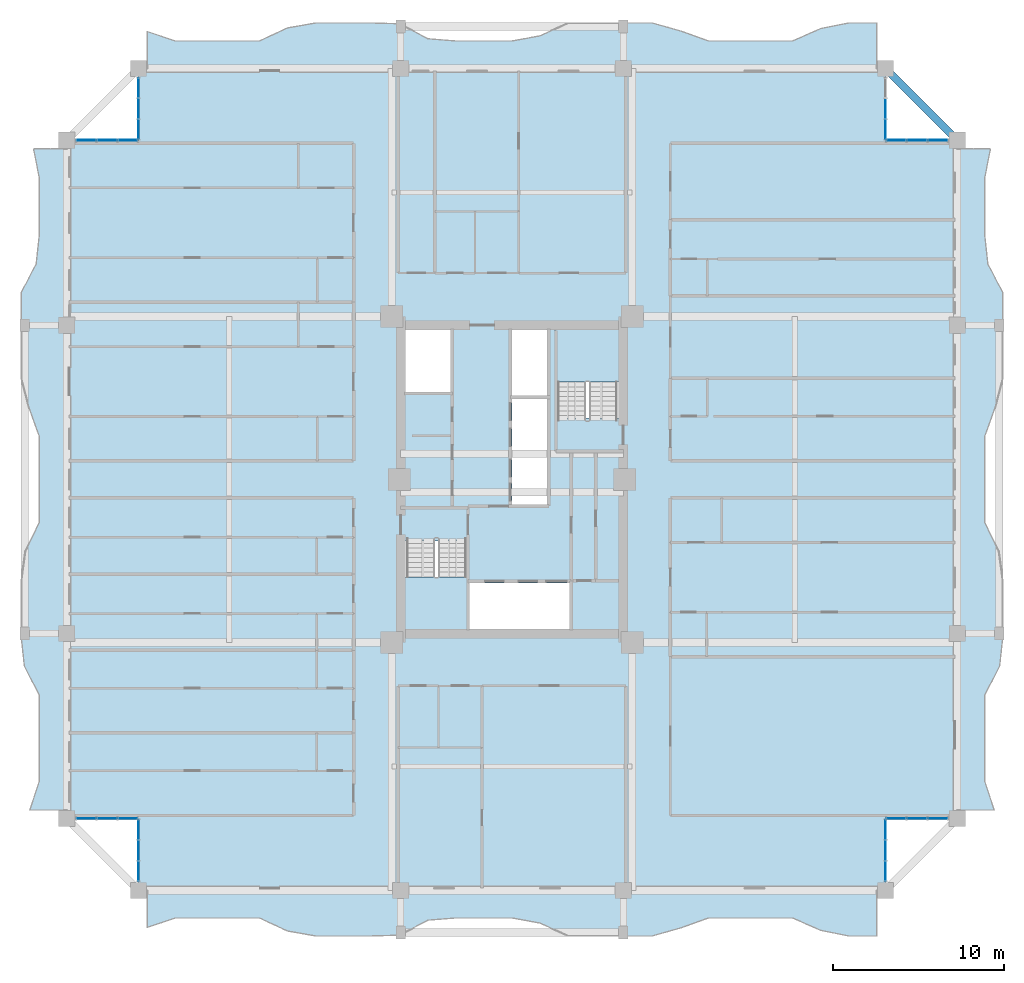
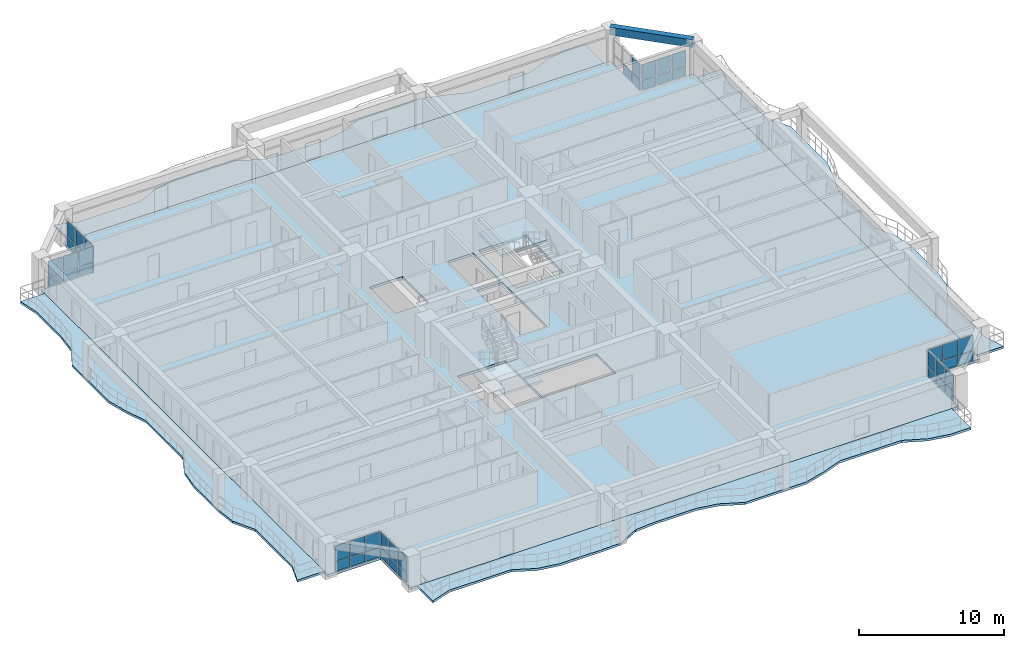
# One storey, part 12 of 24: 45 plates, 7 slabs, 1 beam, 10 elements without a shape of their own.
"""IFC4 building model written with IfcOpenShell, lengths in metres."""

from ifc_helpers import new_model, si_unit, direction, frame, origin, origin_2d, place, context, subcontext, project, spatial, polyline, rectangle, outline, extrude, source, transform, mapped, material, layer, layer_set, material_profile, profile_set, type_object, element, aggregate, save


model = new_model("IFC4")

# Units and contexts
model_context = context("Model", 3, precision=1e-05, world=origin(), true_north=direction((0.0, 1.0)))
body_context = subcontext(model_context, "Body", "Model", "MODEL_VIEW")
ifc_project = project(units=[si_unit("LENGTHUNIT", "METRE"), si_unit("AREAUNIT", "SQUARE_METRE"), si_unit("VOLUMEUNIT", "CUBIC_METRE"), si_unit("PLANEANGLEUNIT", "RADIAN"), si_unit("MASSUNIT", "GRAM", prefix="KILO")], contexts=[model_context])

# Site, building, storey
site_placement = place(None, origin())
site = spatial("IfcSite", under=ifc_project, at=site_placement, CompositionType="ELEMENT")
building_placement = place(site_placement, origin())
building = spatial("IfcBuilding", under=site, at=building_placement, Name="Saelheon Loggia Tower", CompositionType="ELEMENT")
storey_placement = place(building_placement, frame((0.0, 0.0, 126.75)))
storey = spatial("IfcBuildingStorey", under=building, at=storey_placement, Name="L40", CompositionType="ELEMENT", Elevation=126.75)

# Beam
ifc_material_1 = material(Name="Concrete C40/50", Category="concrete")
ifc_material_profile = material_profile(ifc_material_1, rectangle(XDim=0.449951171875, YDim=0.64990234375, at=origin_2d()), Name="RC-450x650")
ifc_profile_set = profile_set([ifc_material_profile], Name="Concrete C40/50")
beam_type = type_object("IfcBeamType", Name="Beam_PerimTower_RC450x650", PredefinedType="BEAM", material=ifc_profile_set)
shared_shape_1 = source(origin(), body_context, "Body", "SweptSolid", [
    extrude(rectangle(XDim=0.449951171875, YDim=0.64990234375, at=origin_2d()), origin(), (0.0, 0.0, 1.0), 5.939697265625),
])
beam_placement = place(storey_placement, frame((64.0, 46.800048828125, 2.675048828125), z_axis=(-0.707106781187, 0.707106781187, 0.0), x_axis=(-0.707106781187, -0.707106781187, 0.0)))
element("IfcBeam", 1, at=beam_placement, inside=storey, type_object=beam_type, Name="L40 Perimeter Frame Girder 08", PredefinedType="BEAM", context=body_context, shape_type="MappedRepresentation", body=[
    mapped(shared_shape_1, transform((0.0, 0.0, 0.0), scale=1.0)),
])

# Slabs
ifc_material_2 = material(Name="Precast Concrete C45/55", Category="concrete")
ifc_layer_1 = layer(ifc_material_2, 0.18994140625)
ifc_layer_set_1 = layer_set([ifc_layer_1], Name="Precast Concrete C45/55")
slab_type_1 = type_object("IfcSlabType", Name="Slab_Loggia_Ext_190", PredefinedType="FLOOR", material=ifc_layer_set_1)
slab_1_placement = place(storey_placement, frame((0.0, 0.0, -0.18994140625)))
element("IfcSlab", 2, at=slab_1_placement, inside=storey, type_object=slab_type_1, Name="L40 Loggia Balcony Slab S", PredefinedType="FLOOR", context=body_context, shape_type="SweptSolid", body=[
    extrude(outline(polyline([(16.699951171875, 0.85009765625), (18.33837890625, 1.39990234375), (19.976806640625, 1.39990234375), (21.615478515625, 1.39990234375), (23.25390625, 1.39990234375), (24.892333984375, 0.6376953125), (26.53076171875, 0.35009765625), (28.169189453125, 0.35009765625), (29.8076171875, 0.35009765625), (31.4462890625, 0.394775390625), (33.084716796875, 1.26953125), (34.72314453125, 1.39990234375), (36.361572265625, 1.39990234375), (38.0, 1.39990234375), (39.638427734375, 1.099609375), (41.27685546875, 0.35009765625), (42.915283203125, 0.35009765625), (44.5537109375, 0.35009765625), (46.1923828125, 0.35009765625), (47.830810546875, 0.8125), (49.46923828125, 1.39990234375), (51.107666015625, 1.39990234375), (52.74609375, 1.39990234375), (54.384521484375, 1.39990234375), (56.023193359375, 0.6748046875), (57.66162109375, 0.35009765625), (59.300048828125, 0.35009765625), (59.300048828125, 3.0), (16.699951171875, 3.0), (16.699951171875, 0.85009765625)])), origin(), (0.0, 0.0, 1.0), 0.18994140625),
])
slab_2_placement = place(storey_placement, frame((0.0, 0.0, -0.18994140625)))
element("IfcSlab", 3, at=slab_2_placement, inside=storey, type_object=slab_type_1, Name="L40 Loggia Balcony Slab N", PredefinedType="FLOOR", context=body_context, shape_type="SweptSolid", body=[
    extrude(outline(polyline([(16.699951171875, 51.0), (59.300048828125, 51.0), (59.300048828125, 53.64990234375), (57.66162109375, 53.64990234375), (56.023193359375, 53.3251953125), (54.384521484375, 52.60009765625), (52.74609375, 52.60009765625), (51.107666015625, 52.60009765625), (49.46923828125, 52.60009765625), (47.830810546875, 53.1875), (46.1923828125, 53.64990234375), (44.5537109375, 53.64990234375), (42.915283203125, 53.64990234375), (41.27685546875, 53.64990234375), (39.638427734375, 52.900390625), (38.0, 52.60009765625), (36.361572265625, 52.60009765625), (34.72314453125, 52.60009765625), (33.084716796875, 52.73046875), (31.4462890625, 53.605224609375), (29.8076171875, 53.64990234375), (28.169189453125, 53.64990234375), (26.53076171875, 53.64990234375), (24.892333984375, 53.3623046875), (23.25390625, 52.60009765625), (21.615478515625, 52.60009765625), (19.976806640625, 52.60009765625), (18.33837890625, 52.60009765625), (16.699951171875, 53.14990234375), (16.699951171875, 51.0)])), origin(), (0.0, 0.0, 1.0), 0.18994140625),
])
slab_3_placement = place(storey_placement, frame((0.0, 0.0, -0.18994140625)))
element("IfcSlab", 4, at=slab_3_placement, inside=storey, type_object=slab_type_1, Name="L40 Loggia Balcony Slab E", PredefinedType="FLOOR", context=body_context, shape_type="SweptSolid", body=[
    extrude(outline(polyline([(64.0, 7.699951171875), (66.14990234375, 7.699951171875), (65.60009765625, 9.37841796875), (65.60009765625, 11.056396484375), (65.60009765625, 12.73486328125), (65.60009765625, 14.4130859375), (66.468505859375, 16.09130859375), (66.64990234375, 17.76953125), (66.64990234375, 19.44775390625), (66.64990234375, 21.126220703125), (66.417724609375, 22.80419921875), (65.60009765625, 24.482666015625), (65.60009765625, 26.160888671875), (65.60009765625, 27.839111328125), (65.60009765625, 29.517333984375), (66.201904296875, 31.19580078125), (66.64990234375, 32.873779296875), (66.64990234375, 34.55224609375), (66.64990234375, 36.23046875), (66.64990234375, 37.90869140625), (65.78125, 39.5869140625), (65.60009765625, 41.26513671875), (65.60009765625, 42.943603515625), (65.60009765625, 44.62158203125), (65.933349609375, 46.300048828125), (64.0, 46.300048828125), (64.0, 7.699951171875)])), origin(), (0.0, 0.0, 1.0), 0.18994140625),
])
slab_4_placement = place(storey_placement, frame((0.0, 0.0, -0.18994140625)))
element("IfcSlab", 5, at=slab_4_placement, inside=storey, type_object=slab_type_1, Name="L40 Loggia Balcony Slab W", PredefinedType="FLOOR", context=body_context, shape_type="SweptSolid", body=[
    extrude(outline(polyline([(12.0, 7.699951171875), (12.0, 46.300048828125), (10.066650390625, 46.300048828125), (10.39990234375, 44.62158203125), (10.39990234375, 42.943603515625), (10.39990234375, 41.26513671875), (10.21875, 39.5869140625), (9.35009765625, 37.90869140625), (9.35009765625, 36.23046875), (9.35009765625, 34.55224609375), (9.35009765625, 32.873779296875), (9.798095703125, 31.19580078125), (10.39990234375, 29.517333984375), (10.39990234375, 27.839111328125), (10.39990234375, 26.160888671875), (10.39990234375, 24.482666015625), (9.582275390625, 22.80419921875), (9.35009765625, 21.126220703125), (9.35009765625, 19.44775390625), (9.35009765625, 17.76953125), (9.531494140625, 16.09130859375), (10.39990234375, 14.4130859375), (10.39990234375, 12.73486328125), (10.39990234375, 11.056396484375), (10.39990234375, 9.37841796875), (9.85009765625, 7.699951171875), (12.0, 7.699951171875)])), origin(), (0.0, 0.0, 1.0), 0.18994140625),
])

# Stair, slab
stair_type = type_object("IfcStairType", Name="Stair_Escape_Core", PredefinedType="HALF_TURN_STAIR", material=ifc_material_1)
stair_1_placement = place(storey_placement, origin())
stair_1 = element("IfcStair", 6, at=stair_1_placement, inside=storey, type_object=stair_type, Name="L40 Special Escape Stair ST1", PredefinedType="HALF_TURN_STAIR")
ifc_layer_2 = layer(ifc_material_1, 0.199951171875)
ifc_layer_set_2 = layer_set([ifc_layer_2], Name="Concrete C40/50")
slab_type_2 = type_object("IfcSlabType", Name="Slab_StairLanding_ST1", PredefinedType="LANDING", material=ifc_layer_set_2)
slab_5_placement = place(storey_placement, frame((0.0, 0.0, 1.300048828125)))
slab_5 = element("IfcSlab", 7, at=slab_5_placement, type_object=slab_type_2, Name="ST1 landing 1", PredefinedType="LANDING", context=body_context, shape_type="SweptSolid", body=[
    extrude(outline(polyline([(31.7099609375, 21.31005859375), (31.7099609375, 18.2099609375), (35.469970703125, 18.2099609375), (35.469970703125, 21.31005859375), (31.7099609375, 21.31005859375)])), origin(), (0.0, 0.0, 1.0), 0.199951171875),
])
aggregate(stair_1, [slab_5])

stair_2_placement = place(storey_placement, origin())
stair_2 = element("IfcStair", 8, at=stair_2_placement, inside=storey, type_object=stair_type, Name="L40 Special Escape Stair ST2", PredefinedType="HALF_TURN_STAIR")
ifc_layer_3 = layer(ifc_material_1, 0.199951171875)
ifc_layer_set_3 = layer_set([ifc_layer_3], Name="Concrete C40/50")
slab_type_3 = type_object("IfcSlabType", Name="Slab_StairLanding_ST2", PredefinedType="LANDING", material=ifc_layer_set_3)
slab_6_placement = place(storey_placement, frame((0.0, 0.0, 1.300048828125)))
slab_6 = element("IfcSlab", 9, at=slab_6_placement, type_object=slab_type_3, Name="ST2 landing 1", PredefinedType="LANDING", context=body_context, shape_type="SweptSolid", body=[
    extrude(outline(polyline([(44.2900390625, 32.68994140625), (44.2900390625, 35.7900390625), (40.530029296875, 35.7900390625), (40.530029296875, 32.68994140625), (44.2900390625, 32.68994140625)])), origin(), (0.0, 0.0, 1.0), 0.199951171875),
])
aggregate(stair_2, [slab_6])

# Slab
ifc_layer_4 = layer(ifc_material_1, 0.2099609375)
ifc_layer_set_4 = layer_set([ifc_layer_4], Name="Concrete C40/50")
slab_type_4 = type_object("IfcSlabType", Name="Slab_Tower_210", PredefinedType="FLOOR", material=ifc_layer_set_4)
slab_7_placement = place(storey_placement, frame((0.0, 0.0, -0.2099609375)))
element("IfcSlab", 10, at=slab_7_placement, inside=storey, type_object=slab_type_4, Name="L40 Tower Floor Slab", PredefinedType="FLOOR", context=body_context, shape_type="SweptSolid", body=[
    extrude(outline(polyline([(16.199951171875, 3.0), (59.800048828125, 3.0), (59.800048828125, 7.199951171875), (64.0, 7.199951171875), (64.0, 46.800048828125), (59.800048828125, 46.800048828125), (59.800048828125, 51.0), (16.199951171875, 51.0), (16.199951171875, 46.800048828125), (12.0, 46.800048828125), (12.0, 7.199951171875), (16.199951171875, 7.199951171875), (16.199951171875, 3.0)]), holes=[polyline([(31.699951171875, 23.409912109375), (31.699951171875, 18.199951171875), (35.47998046875, 18.199951171875), (35.47998046875, 23.409912109375), (31.699951171875, 23.409912109375)]), polyline([(44.300048828125, 30.590087890625), (44.300048828125, 35.800048828125), (40.52001953125, 35.800048828125), (40.52001953125, 30.590087890625), (44.300048828125, 30.590087890625)]), polyline([(35.530029296875, 18.27490234375), (41.35009765625, 18.27490234375), (41.35009765625, 20.9599609375), (35.530029296875, 20.9599609375), (35.530029296875, 18.27490234375)]), polyline([(31.77490234375, 32.1201171875), (34.419921875, 32.1201171875), (34.419921875, 35.72509765625), (31.77490234375, 35.72509765625), (31.77490234375, 32.1201171875)]), polyline([(38.0, 31.89990234375), (40.050048828125, 31.89990234375), (40.050048828125, 35.72509765625), (38.0, 35.72509765625), (38.0, 31.89990234375)]), polyline([(38.0, 25.5400390625), (40.050048828125, 25.5400390625), (40.050048828125, 31.699951171875), (38.0, 31.699951171875), (38.0, 25.5400390625)])]), origin(), (0.0, 0.0, 1.0), 0.2099609375),
])

# Curtain wall, plates
ifc_material_3 = material(Name="High-Wind Aluminium and Triple Laminated Glass", Category="aluminium")
ifc_layer_5 = layer(ifc_material_3, 0.179931640625)
ifc_layer_set_5 = layer_set([ifc_layer_5], Name="High-Wind Aluminium and Triple Laminated Glass")
curtain_wall_type = type_object("IfcCurtainWallType", Name="CW_TowerLoggiaHigh", PredefinedType="NOTDEFINED", material=ifc_layer_set_5)
curtain_wall_1_placement = place(storey_placement, origin())
curtain_wall_1 = element("IfcCurtainWall", 11, at=curtain_wall_1_placement, inside=storey, type_object=curtain_wall_type, Name="L40 Corner Notch Glazing SW1", PredefinedType="NOTDEFINED")
ifc_material_4 = material(Name="Triple Low-E Laminated Glazing", Category="glass")
ifc_layer_6 = layer(ifc_material_4, 0.0439453125)
ifc_layer_set_6 = layer_set([ifc_layer_6], Name="Triple Low-E Laminated Glazing")
plate_type = type_object("IfcPlateType", Name="CW_TowerLoggiaHigh_Panel", PredefinedType="CURTAIN_PANEL", material=ifc_layer_set_6)
shared_shape_2 = source(origin(), body_context, "Body", "SweptSolid", [
    extrude(rectangle(XDim=1.123291015625, YDim=0.0439453125, at=origin_2d()), origin(), (0.0, 0.0, 1.0), 0.794921875),
])
plate_1_placement = place(storey_placement, frame((16.199951171875, 4.146728515625, 0.070068359375), z_axis=(0.0, 0.0, 1.0), x_axis=(0.0, 1.0, 0.0)))
plate_1 = element("IfcPlate", 12, at=plate_1_placement, type_object=plate_type, Name="CW4 panel 1.1", PredefinedType="CURTAIN_PANEL", context=body_context, shape_type="MappedRepresentation", body=[
    mapped(shared_shape_2, transform((0.0, 0.0, 0.0), scale=1.0)),
])
plate_2_placement = place(storey_placement, frame((16.199951171875, 6.568359375, 0.070068359375), z_axis=(0.0, 0.0, 1.0), x_axis=(0.0, 1.0, 0.0)))
plate_2 = element("IfcPlate", 13, at=plate_2_placement, type_object=plate_type, Name="CW4 panel 3.1", PredefinedType="CURTAIN_PANEL", context=body_context, shape_type="MappedRepresentation", body=[
    mapped(shared_shape_2, transform((0.0, 0.0, 0.0), scale=1.0)),
])

curtain_wall_2_placement = place(storey_placement, origin())
curtain_wall_2 = element("IfcCurtainWall", 14, at=curtain_wall_2_placement, inside=storey, type_object=curtain_wall_type, Name="L40 Corner Notch Glazing SW2", PredefinedType="NOTDEFINED")
plate_3_placement = place(storey_placement, frame((13.146728515625, 7.199951171875, 0.070068359375), z_axis=(0.0, 0.0, 1.0), x_axis=(1.0, 0.0, 0.0)))
plate_3 = element("IfcPlate", 15, at=plate_3_placement, type_object=plate_type, Name="CW4 panel 1.1", PredefinedType="CURTAIN_PANEL", context=body_context, shape_type="MappedRepresentation", body=[
    mapped(shared_shape_2, transform((0.0, 0.0, 0.0), scale=1.0)),
])
plate_4_placement = place(storey_placement, frame((15.568359375, 7.199951171875, 0.070068359375), z_axis=(0.0, 0.0, 1.0), x_axis=(1.0, 0.0, 0.0)))
plate_4 = element("IfcPlate", 16, at=plate_4_placement, type_object=plate_type, Name="CW4 panel 3.1", PredefinedType="CURTAIN_PANEL", context=body_context, shape_type="MappedRepresentation", body=[
    mapped(shared_shape_2, transform((0.0, 0.0, 0.0), scale=1.0)),
])

curtain_wall_3_placement = place(storey_placement, origin())
curtain_wall_3 = element("IfcCurtainWall", 17, at=curtain_wall_3_placement, inside=storey, type_object=curtain_wall_type, Name="L40 Corner Notch Glazing SE1", PredefinedType="NOTDEFINED")
plate_5_placement = place(storey_placement, frame((59.800048828125, 4.146728515625, 0.070068359375), z_axis=(0.0, 0.0, 1.0), x_axis=(0.0, 1.0, 0.0)))
plate_5 = element("IfcPlate", 18, at=plate_5_placement, type_object=plate_type, Name="CW4 panel 1.1", PredefinedType="CURTAIN_PANEL", context=body_context, shape_type="MappedRepresentation", body=[
    mapped(shared_shape_2, transform((0.0, 0.0, 0.0), scale=1.0)),
])
plate_6_placement = place(storey_placement, frame((59.800048828125, 6.568359375, 0.070068359375), z_axis=(0.0, 0.0, 1.0), x_axis=(0.0, 1.0, 0.0)))
plate_6 = element("IfcPlate", 19, at=plate_6_placement, type_object=plate_type, Name="CW4 panel 3.1", PredefinedType="CURTAIN_PANEL", context=body_context, shape_type="MappedRepresentation", body=[
    mapped(shared_shape_2, transform((0.0, 0.0, 0.0), scale=1.0)),
])

curtain_wall_4_placement = place(storey_placement, origin())
curtain_wall_4 = element("IfcCurtainWall", 20, at=curtain_wall_4_placement, inside=storey, type_object=curtain_wall_type, Name="L40 Corner Notch Glazing SE2", PredefinedType="NOTDEFINED")
plate_7_placement = place(storey_placement, frame((60.431640625, 7.199951171875, 0.070068359375), z_axis=(0.0, 0.0, 1.0), x_axis=(1.0, 0.0, 0.0)))
plate_7 = element("IfcPlate", 21, at=plate_7_placement, type_object=plate_type, Name="CW4 panel 1.1", PredefinedType="CURTAIN_PANEL", context=body_context, shape_type="MappedRepresentation", body=[
    mapped(shared_shape_2, transform((0.0, 0.0, 0.0), scale=1.0)),
])
plate_8_placement = place(storey_placement, frame((62.853271484375, 7.199951171875, 0.070068359375), z_axis=(0.0, 0.0, 1.0), x_axis=(1.0, 0.0, 0.0)))
plate_8 = element("IfcPlate", 22, at=plate_8_placement, type_object=plate_type, Name="CW4 panel 3.1", PredefinedType="CURTAIN_PANEL", context=body_context, shape_type="MappedRepresentation", body=[
    mapped(shared_shape_2, transform((0.0, 0.0, 0.0), scale=1.0)),
])

curtain_wall_5_placement = place(storey_placement, origin())
curtain_wall_5 = element("IfcCurtainWall", 23, at=curtain_wall_5_placement, inside=storey, type_object=curtain_wall_type, Name="L40 Corner Notch Glazing NW1", PredefinedType="NOTDEFINED")
plate_9_placement = place(storey_placement, frame((16.199951171875, 47.431640625, 0.070068359375), z_axis=(0.0, 0.0, 1.0), x_axis=(0.0, 1.0, 0.0)))
plate_9 = element("IfcPlate", 24, at=plate_9_placement, type_object=plate_type, Name="CW4 panel 1.1", PredefinedType="CURTAIN_PANEL", context=body_context, shape_type="MappedRepresentation", body=[
    mapped(shared_shape_2, transform((0.0, 0.0, 0.0), scale=1.0)),
])
plate_10_placement = place(storey_placement, frame((16.199951171875, 49.853271484375, 0.070068359375), z_axis=(0.0, 0.0, 1.0), x_axis=(0.0, 1.0, 0.0)))
plate_10 = element("IfcPlate", 25, at=plate_10_placement, type_object=plate_type, Name="CW4 panel 3.1", PredefinedType="CURTAIN_PANEL", context=body_context, shape_type="MappedRepresentation", body=[
    mapped(shared_shape_2, transform((0.0, 0.0, 0.0), scale=1.0)),
])

curtain_wall_6_placement = place(storey_placement, origin())
curtain_wall_6 = element("IfcCurtainWall", 26, at=curtain_wall_6_placement, inside=storey, type_object=curtain_wall_type, Name="L40 Corner Notch Glazing NW2", PredefinedType="NOTDEFINED")
plate_11_placement = place(storey_placement, frame((13.146728515625, 46.800048828125, 0.070068359375), z_axis=(0.0, 0.0, 1.0), x_axis=(1.0, 0.0, 0.0)))
plate_11 = element("IfcPlate", 27, at=plate_11_placement, type_object=plate_type, Name="CW4 panel 1.1", PredefinedType="CURTAIN_PANEL", context=body_context, shape_type="MappedRepresentation", body=[
    mapped(shared_shape_2, transform((0.0, 0.0, 0.0), scale=1.0)),
])
plate_12_placement = place(storey_placement, frame((15.568359375, 46.800048828125, 0.070068359375), z_axis=(0.0, 0.0, 1.0), x_axis=(1.0, 0.0, 0.0)))
plate_12 = element("IfcPlate", 28, at=plate_12_placement, type_object=plate_type, Name="CW4 panel 3.1", PredefinedType="CURTAIN_PANEL", context=body_context, shape_type="MappedRepresentation", body=[
    mapped(shared_shape_2, transform((0.0, 0.0, 0.0), scale=1.0)),
])

# Curtain wall, plate
curtain_wall_7_placement = place(storey_placement, origin())
curtain_wall_7 = element("IfcCurtainWall", 29, at=curtain_wall_7_placement, inside=storey, type_object=curtain_wall_type, Name="L40 Corner Notch Glazing NE1", PredefinedType="NOTDEFINED")
plate_13_placement = place(storey_placement, frame((59.800048828125, 47.431640625, 0.070068359375), z_axis=(0.0, 0.0, 1.0), x_axis=(0.0, 1.0, 0.0)))
plate_13 = element("IfcPlate", 30, at=plate_13_placement, type_object=plate_type, Name="CW4 panel 1.1", PredefinedType="CURTAIN_PANEL", context=body_context, shape_type="MappedRepresentation", body=[
    mapped(shared_shape_2, transform((0.0, 0.0, 0.0), scale=1.0)),
])

# Curtain wall, plates
curtain_wall_8_placement = place(storey_placement, origin())
curtain_wall_8 = element("IfcCurtainWall", 31, at=curtain_wall_8_placement, inside=storey, type_object=curtain_wall_type, Name="L40 Corner Notch Glazing NE2", PredefinedType="NOTDEFINED")
plate_14_placement = place(storey_placement, frame((60.431640625, 46.800048828125, 0.070068359375), z_axis=(0.0, 0.0, 1.0), x_axis=(1.0, 0.0, 0.0)))
plate_14 = element("IfcPlate", 32, at=plate_14_placement, type_object=plate_type, Name="CW4 panel 1.1", PredefinedType="CURTAIN_PANEL", context=body_context, shape_type="MappedRepresentation", body=[
    mapped(shared_shape_2, transform((0.0, 0.0, 0.0), scale=1.0)),
])
plate_15_placement = place(storey_placement, frame((62.853271484375, 46.800048828125, 0.070068359375), z_axis=(0.0, 0.0, 1.0), x_axis=(1.0, 0.0, 0.0)))
plate_15 = element("IfcPlate", 33, at=plate_15_placement, type_object=plate_type, Name="CW4 panel 3.1", PredefinedType="CURTAIN_PANEL", context=body_context, shape_type="MappedRepresentation", body=[
    mapped(shared_shape_2, transform((0.0, 0.0, 0.0), scale=1.0)),
])

# Plate
shared_shape_3 = source(origin(), body_context, "Body", "SweptSolid", [
    extrude(rectangle(XDim=1.123291015625, YDim=0.0439453125, at=origin_2d()), origin(), (0.0, 0.0, 1.0), 1.27490234375),
])
plate_16_placement = place(storey_placement, frame((16.199951171875, 4.146728515625, 0.93505859375), z_axis=(0.0, 0.0, 1.0), x_axis=(0.0, 1.0, 0.0)))
plate_16 = element("IfcPlate", 34, at=plate_16_placement, type_object=plate_type, Name="CW4 panel 1.2", PredefinedType="CURTAIN_PANEL", context=body_context, shape_type="MappedRepresentation", body=[
    mapped(shared_shape_3, transform((0.0, 0.0, 0.0), scale=1.0)),
])

plate_17_placement = place(storey_placement, frame((16.199951171875, 6.568359375, 0.93505859375), z_axis=(0.0, 0.0, 1.0), x_axis=(0.0, 1.0, 0.0)))
plate_17 = element("IfcPlate", 35, at=plate_17_placement, type_object=plate_type, Name="CW4 panel 3.2", PredefinedType="CURTAIN_PANEL", context=body_context, shape_type="MappedRepresentation", body=[
    mapped(shared_shape_3, transform((0.0, 0.0, 0.0), scale=1.0)),
])

plate_18_placement = place(storey_placement, frame((13.146728515625, 7.199951171875, 0.93505859375), z_axis=(0.0, 0.0, 1.0), x_axis=(1.0, 0.0, 0.0)))
plate_18 = element("IfcPlate", 36, at=plate_18_placement, type_object=plate_type, Name="CW4 panel 1.2", PredefinedType="CURTAIN_PANEL", context=body_context, shape_type="MappedRepresentation", body=[
    mapped(shared_shape_3, transform((0.0, 0.0, 0.0), scale=1.0)),
])

plate_19_placement = place(storey_placement, frame((15.568359375, 7.199951171875, 0.93505859375), z_axis=(0.0, 0.0, 1.0), x_axis=(1.0, 0.0, 0.0)))
plate_19 = element("IfcPlate", 37, at=plate_19_placement, type_object=plate_type, Name="CW4 panel 3.2", PredefinedType="CURTAIN_PANEL", context=body_context, shape_type="MappedRepresentation", body=[
    mapped(shared_shape_3, transform((0.0, 0.0, 0.0), scale=1.0)),
])

plate_20_placement = place(storey_placement, frame((59.800048828125, 4.146728515625, 0.93505859375), z_axis=(0.0, 0.0, 1.0), x_axis=(0.0, 1.0, 0.0)))
plate_20 = element("IfcPlate", 38, at=plate_20_placement, type_object=plate_type, Name="CW4 panel 1.2", PredefinedType="CURTAIN_PANEL", context=body_context, shape_type="MappedRepresentation", body=[
    mapped(shared_shape_3, transform((0.0, 0.0, 0.0), scale=1.0)),
])

plate_21_placement = place(storey_placement, frame((59.800048828125, 6.568359375, 0.93505859375), z_axis=(0.0, 0.0, 1.0), x_axis=(0.0, 1.0, 0.0)))
plate_21 = element("IfcPlate", 39, at=plate_21_placement, type_object=plate_type, Name="CW4 panel 3.2", PredefinedType="CURTAIN_PANEL", context=body_context, shape_type="MappedRepresentation", body=[
    mapped(shared_shape_3, transform((0.0, 0.0, 0.0), scale=1.0)),
])

plate_22_placement = place(storey_placement, frame((60.431640625, 7.199951171875, 0.93505859375), z_axis=(0.0, 0.0, 1.0), x_axis=(1.0, 0.0, 0.0)))
plate_22 = element("IfcPlate", 40, at=plate_22_placement, type_object=plate_type, Name="CW4 panel 1.2", PredefinedType="CURTAIN_PANEL", context=body_context, shape_type="MappedRepresentation", body=[
    mapped(shared_shape_3, transform((0.0, 0.0, 0.0), scale=1.0)),
])

plate_23_placement = place(storey_placement, frame((62.853271484375, 7.199951171875, 0.93505859375), z_axis=(0.0, 0.0, 1.0), x_axis=(1.0, 0.0, 0.0)))
plate_23 = element("IfcPlate", 41, at=plate_23_placement, type_object=plate_type, Name="CW4 panel 3.2", PredefinedType="CURTAIN_PANEL", context=body_context, shape_type="MappedRepresentation", body=[
    mapped(shared_shape_3, transform((0.0, 0.0, 0.0), scale=1.0)),
])

plate_24_placement = place(storey_placement, frame((16.199951171875, 47.431640625, 0.93505859375), z_axis=(0.0, 0.0, 1.0), x_axis=(0.0, 1.0, 0.0)))
plate_24 = element("IfcPlate", 42, at=plate_24_placement, type_object=plate_type, Name="CW4 panel 1.2", PredefinedType="CURTAIN_PANEL", context=body_context, shape_type="MappedRepresentation", body=[
    mapped(shared_shape_3, transform((0.0, 0.0, 0.0), scale=1.0)),
])

plate_25_placement = place(storey_placement, frame((16.199951171875, 49.853271484375, 0.93505859375), z_axis=(0.0, 0.0, 1.0), x_axis=(0.0, 1.0, 0.0)))
plate_25 = element("IfcPlate", 43, at=plate_25_placement, type_object=plate_type, Name="CW4 panel 3.2", PredefinedType="CURTAIN_PANEL", context=body_context, shape_type="MappedRepresentation", body=[
    mapped(shared_shape_3, transform((0.0, 0.0, 0.0), scale=1.0)),
])

plate_26_placement = place(storey_placement, frame((13.146728515625, 46.800048828125, 0.93505859375), z_axis=(0.0, 0.0, 1.0), x_axis=(1.0, 0.0, 0.0)))
plate_26 = element("IfcPlate", 44, at=plate_26_placement, type_object=plate_type, Name="CW4 panel 1.2", PredefinedType="CURTAIN_PANEL", context=body_context, shape_type="MappedRepresentation", body=[
    mapped(shared_shape_3, transform((0.0, 0.0, 0.0), scale=1.0)),
])

plate_27_placement = place(storey_placement, frame((15.568359375, 46.800048828125, 0.93505859375), z_axis=(0.0, 0.0, 1.0), x_axis=(1.0, 0.0, 0.0)))
plate_27 = element("IfcPlate", 45, at=plate_27_placement, type_object=plate_type, Name="CW4 panel 3.2", PredefinedType="CURTAIN_PANEL", context=body_context, shape_type="MappedRepresentation", body=[
    mapped(shared_shape_3, transform((0.0, 0.0, 0.0), scale=1.0)),
])

plate_28_placement = place(storey_placement, frame((59.800048828125, 47.431640625, 0.93505859375), z_axis=(0.0, 0.0, 1.0), x_axis=(0.0, 1.0, 0.0)))
plate_28 = element("IfcPlate", 46, at=plate_28_placement, type_object=plate_type, Name="CW4 panel 1.2", PredefinedType="CURTAIN_PANEL", context=body_context, shape_type="MappedRepresentation", body=[
    mapped(shared_shape_3, transform((0.0, 0.0, 0.0), scale=1.0)),
])

plate_29_placement = place(storey_placement, frame((60.431640625, 46.800048828125, 0.93505859375), z_axis=(0.0, 0.0, 1.0), x_axis=(1.0, 0.0, 0.0)))
plate_29 = element("IfcPlate", 47, at=plate_29_placement, type_object=plate_type, Name="CW4 panel 1.2", PredefinedType="CURTAIN_PANEL", context=body_context, shape_type="MappedRepresentation", body=[
    mapped(shared_shape_3, transform((0.0, 0.0, 0.0), scale=1.0)),
])

plate_30_placement = place(storey_placement, frame((62.853271484375, 46.800048828125, 0.93505859375), z_axis=(0.0, 0.0, 1.0), x_axis=(1.0, 0.0, 0.0)))
plate_30 = element("IfcPlate", 48, at=plate_30_placement, type_object=plate_type, Name="CW4 panel 3.2", PredefinedType="CURTAIN_PANEL", context=body_context, shape_type="MappedRepresentation", body=[
    mapped(shared_shape_3, transform((0.0, 0.0, 0.0), scale=1.0)),
])

shared_shape_4 = source(origin(), body_context, "Body", "SweptSolid", [
    extrude(rectangle(XDim=1.158447265625, YDim=0.0439453125, at=origin_2d()), origin(), (0.0, 0.0, 1.0), 0.794921875),
])
plate_31_placement = place(storey_placement, frame((16.199951171875, 5.357421875, 0.070068359375), z_axis=(0.0, 0.0, 1.0), x_axis=(0.0, 1.0, 0.0)))
plate_31 = element("IfcPlate", 49, at=plate_31_placement, type_object=plate_type, Name="CW4 panel 2.1", PredefinedType="CURTAIN_PANEL", context=body_context, shape_type="MappedRepresentation", body=[
    mapped(shared_shape_4, transform((0.0, 0.0, 0.0), scale=1.0)),
])

plate_32_placement = place(storey_placement, frame((14.357421875, 7.199951171875, 0.070068359375), z_axis=(0.0, 0.0, 1.0), x_axis=(1.0, 0.0, 0.0)))
plate_32 = element("IfcPlate", 50, at=plate_32_placement, type_object=plate_type, Name="CW4 panel 2.1", PredefinedType="CURTAIN_PANEL", context=body_context, shape_type="MappedRepresentation", body=[
    mapped(shared_shape_4, transform((0.0, 0.0, 0.0), scale=1.0)),
])

plate_33_placement = place(storey_placement, frame((59.800048828125, 5.357421875, 0.070068359375), z_axis=(0.0, 0.0, 1.0), x_axis=(0.0, 1.0, 0.0)))
plate_33 = element("IfcPlate", 51, at=plate_33_placement, type_object=plate_type, Name="CW4 panel 2.1", PredefinedType="CURTAIN_PANEL", context=body_context, shape_type="MappedRepresentation", body=[
    mapped(shared_shape_4, transform((0.0, 0.0, 0.0), scale=1.0)),
])

plate_34_placement = place(storey_placement, frame((61.642578125, 7.199951171875, 0.070068359375), z_axis=(0.0, 0.0, 1.0), x_axis=(1.0, 0.0, 0.0)))
plate_34 = element("IfcPlate", 52, at=plate_34_placement, type_object=plate_type, Name="CW4 panel 2.1", PredefinedType="CURTAIN_PANEL", context=body_context, shape_type="MappedRepresentation", body=[
    mapped(shared_shape_4, transform((0.0, 0.0, 0.0), scale=1.0)),
])

plate_35_placement = place(storey_placement, frame((16.199951171875, 48.642578125, 0.070068359375), z_axis=(0.0, 0.0, 1.0), x_axis=(0.0, 1.0, 0.0)))
plate_35 = element("IfcPlate", 53, at=plate_35_placement, type_object=plate_type, Name="CW4 panel 2.1", PredefinedType="CURTAIN_PANEL", context=body_context, shape_type="MappedRepresentation", body=[
    mapped(shared_shape_4, transform((0.0, 0.0, 0.0), scale=1.0)),
])

plate_36_placement = place(storey_placement, frame((14.357421875, 46.800048828125, 0.070068359375), z_axis=(0.0, 0.0, 1.0), x_axis=(1.0, 0.0, 0.0)))
plate_36 = element("IfcPlate", 54, at=plate_36_placement, type_object=plate_type, Name="CW4 panel 2.1", PredefinedType="CURTAIN_PANEL", context=body_context, shape_type="MappedRepresentation", body=[
    mapped(shared_shape_4, transform((0.0, 0.0, 0.0), scale=1.0)),
])

plate_37_placement = place(storey_placement, frame((59.800048828125, 48.642578125, 0.070068359375), z_axis=(0.0, 0.0, 1.0), x_axis=(0.0, 1.0, 0.0)))
plate_37 = element("IfcPlate", 55, at=plate_37_placement, type_object=plate_type, Name="CW4 panel 2.1", PredefinedType="CURTAIN_PANEL", context=body_context, shape_type="MappedRepresentation", body=[
    mapped(shared_shape_4, transform((0.0, 0.0, 0.0), scale=1.0)),
])

aggregate(curtain_wall_7, [plate_13, plate_28, plate_37])

plate_38_placement = place(storey_placement, frame((61.642578125, 46.800048828125, 0.070068359375), z_axis=(0.0, 0.0, 1.0), x_axis=(1.0, 0.0, 0.0)))
plate_38 = element("IfcPlate", 56, at=plate_38_placement, type_object=plate_type, Name="CW4 panel 2.1", PredefinedType="CURTAIN_PANEL", context=body_context, shape_type="MappedRepresentation", body=[
    mapped(shared_shape_4, transform((0.0, 0.0, 0.0), scale=1.0)),
])

shared_shape_5 = source(origin(), body_context, "Body", "SweptSolid", [
    extrude(rectangle(XDim=1.158447265625, YDim=0.0439453125, at=origin_2d()), origin(), (0.0, 0.0, 1.0), 1.27490234375),
])
plate_39_placement = place(storey_placement, frame((16.199951171875, 5.357421875, 0.93505859375), z_axis=(0.0, 0.0, 1.0), x_axis=(0.0, 1.0, 0.0)))
plate_39 = element("IfcPlate", 57, at=plate_39_placement, type_object=plate_type, Name="CW4 panel 2.2", PredefinedType="CURTAIN_PANEL", context=body_context, shape_type="MappedRepresentation", body=[
    mapped(shared_shape_5, transform((0.0, 0.0, 0.0), scale=1.0)),
])

aggregate(curtain_wall_1, [plate_1, plate_16, plate_31, plate_39, plate_2, plate_17])

plate_40_placement = place(storey_placement, frame((14.357421875, 7.199951171875, 0.93505859375), z_axis=(0.0, 0.0, 1.0), x_axis=(1.0, 0.0, 0.0)))
plate_40 = element("IfcPlate", 58, at=plate_40_placement, type_object=plate_type, Name="CW4 panel 2.2", PredefinedType="CURTAIN_PANEL", context=body_context, shape_type="MappedRepresentation", body=[
    mapped(shared_shape_5, transform((0.0, 0.0, 0.0), scale=1.0)),
])

aggregate(curtain_wall_2, [plate_3, plate_18, plate_32, plate_40, plate_4, plate_19])

plate_41_placement = place(storey_placement, frame((59.800048828125, 5.357421875, 0.93505859375), z_axis=(0.0, 0.0, 1.0), x_axis=(0.0, 1.0, 0.0)))
plate_41 = element("IfcPlate", 59, at=plate_41_placement, type_object=plate_type, Name="CW4 panel 2.2", PredefinedType="CURTAIN_PANEL", context=body_context, shape_type="MappedRepresentation", body=[
    mapped(shared_shape_5, transform((0.0, 0.0, 0.0), scale=1.0)),
])

aggregate(curtain_wall_3, [plate_5, plate_20, plate_33, plate_41, plate_6, plate_21])

plate_42_placement = place(storey_placement, frame((61.642578125, 7.199951171875, 0.93505859375), z_axis=(0.0, 0.0, 1.0), x_axis=(1.0, 0.0, 0.0)))
plate_42 = element("IfcPlate", 60, at=plate_42_placement, type_object=plate_type, Name="CW4 panel 2.2", PredefinedType="CURTAIN_PANEL", context=body_context, shape_type="MappedRepresentation", body=[
    mapped(shared_shape_5, transform((0.0, 0.0, 0.0), scale=1.0)),
])

aggregate(curtain_wall_4, [plate_7, plate_22, plate_34, plate_42, plate_8, plate_23])

plate_43_placement = place(storey_placement, frame((16.199951171875, 48.642578125, 0.93505859375), z_axis=(0.0, 0.0, 1.0), x_axis=(0.0, 1.0, 0.0)))
plate_43 = element("IfcPlate", 61, at=plate_43_placement, type_object=plate_type, Name="CW4 panel 2.2", PredefinedType="CURTAIN_PANEL", context=body_context, shape_type="MappedRepresentation", body=[
    mapped(shared_shape_5, transform((0.0, 0.0, 0.0), scale=1.0)),
])

aggregate(curtain_wall_5, [plate_9, plate_24, plate_35, plate_43, plate_10, plate_25])

plate_44_placement = place(storey_placement, frame((14.357421875, 46.800048828125, 0.93505859375), z_axis=(0.0, 0.0, 1.0), x_axis=(1.0, 0.0, 0.0)))
plate_44 = element("IfcPlate", 62, at=plate_44_placement, type_object=plate_type, Name="CW4 panel 2.2", PredefinedType="CURTAIN_PANEL", context=body_context, shape_type="MappedRepresentation", body=[
    mapped(shared_shape_5, transform((0.0, 0.0, 0.0), scale=1.0)),
])

aggregate(curtain_wall_6, [plate_11, plate_26, plate_36, plate_44, plate_12, plate_27])

plate_45_placement = place(storey_placement, frame((61.642578125, 46.800048828125, 0.93505859375), z_axis=(0.0, 0.0, 1.0), x_axis=(1.0, 0.0, 0.0)))
plate_45 = element("IfcPlate", 63, at=plate_45_placement, type_object=plate_type, Name="CW4 panel 2.2", PredefinedType="CURTAIN_PANEL", context=body_context, shape_type="MappedRepresentation", body=[
    mapped(shared_shape_5, transform((0.0, 0.0, 0.0), scale=1.0)),
])

aggregate(curtain_wall_8, [plate_14, plate_29, plate_38, plate_45, plate_15, plate_30])

save(model, "model.ifc")
